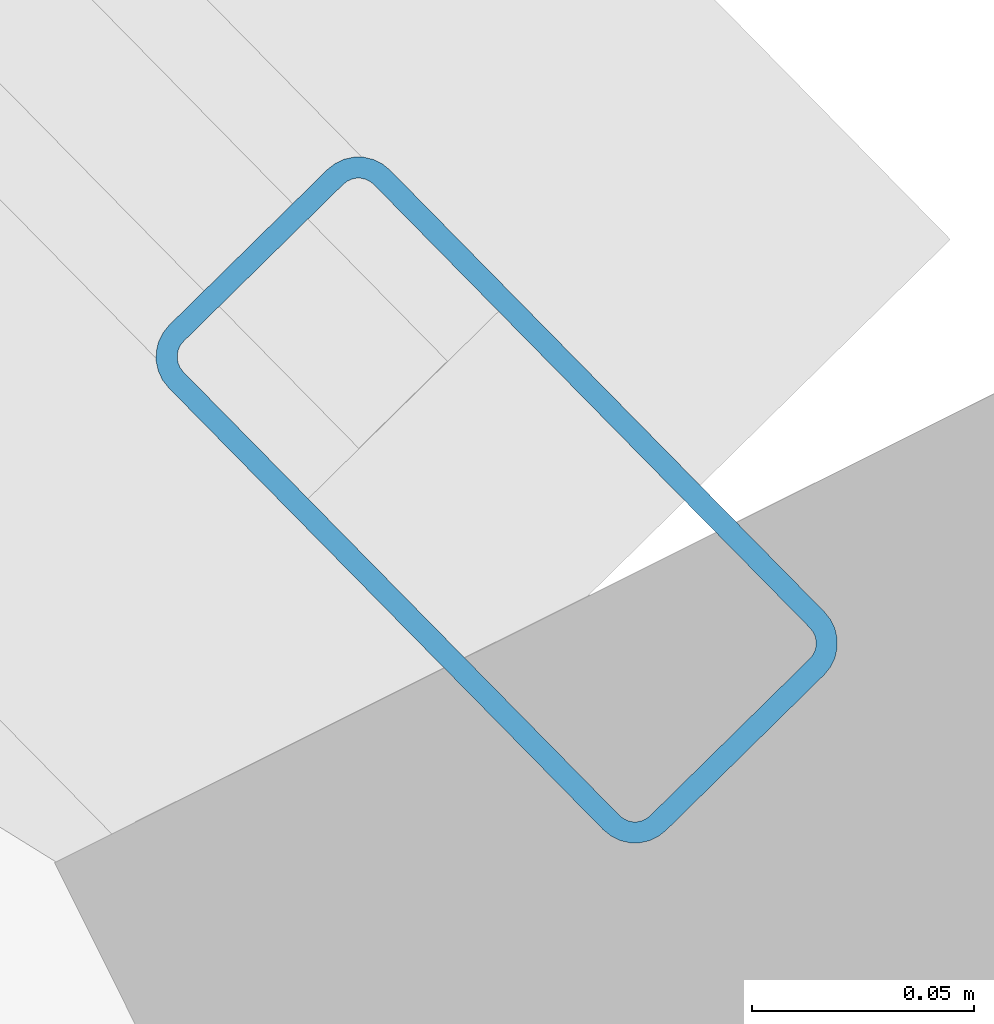
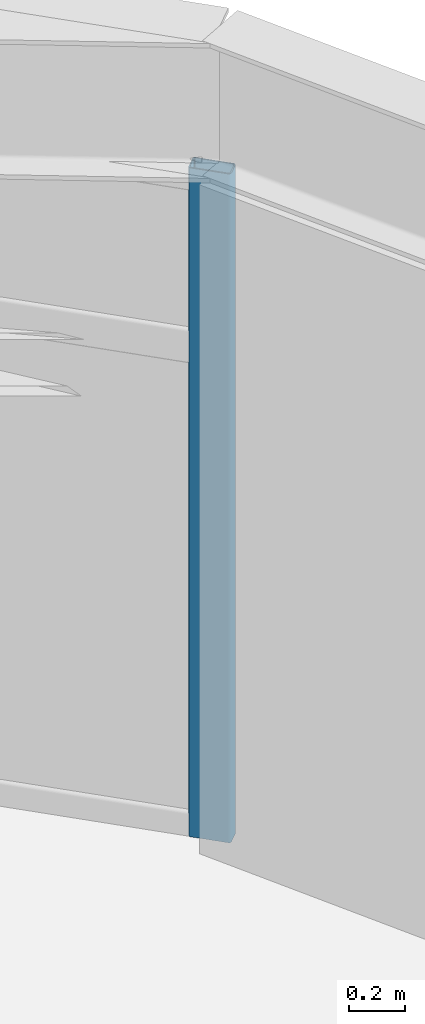
# One storey, part 11 of 22: 1 member, 1 element without a shape of its own.
"""IFC4 building model written with IfcOpenShell, lengths in metres."""

from ifc_helpers import new_model, si_unit, direction, frame, origin, origin_2d, place, context, subcontext, project, spatial, hollow_rectangle, extrude, material, layer, layer_set, material_profile, profile_set, type_object, element, aggregate, save


model = new_model("IFC4")

# Units and contexts
model_context = context("Model", 3, precision=1e-05, world=origin(), true_north=direction((0.0, 1.0)))
body_context = subcontext(model_context, "Body", "Model", "MODEL_VIEW")
ifc_project = project(units=[si_unit("LENGTHUNIT", "METRE"), si_unit("AREAUNIT", "SQUARE_METRE"), si_unit("VOLUMEUNIT", "CUBIC_METRE"), si_unit("PLANEANGLEUNIT", "RADIAN"), si_unit("MASSUNIT", "GRAM", prefix="KILO")], contexts=[model_context])

# Site, building, storey
site_placement = place(None, origin())
site = spatial("IfcSite", under=ifc_project, at=site_placement, CompositionType="ELEMENT")
building_placement = place(site_placement, origin())
building = spatial("IfcBuilding", under=site, at=building_placement, Name="Soratama Intermodal Tower", CompositionType="ELEMENT")
storey_placement = place(building_placement, frame((0.0, 0.0, 130.300048828125)))
storey = spatial("IfcBuildingStorey", under=building, at=storey_placement, Name="L31", CompositionType="ELEMENT", Elevation=130.300048828125)

# Curtain wall, member
ifc_material_1 = material(Name="Double-glazed aluminium curtain wall", Category="aluminium")
ifc_layer = layer(ifc_material_1, 0.159912109375)
ifc_layer_set = layer_set([ifc_layer], Name="Double-glazed aluminium curtain wall")
curtain_wall_type = type_object("IfcCurtainWallType", Name="CW-SYS-3", PredefinedType="NOTDEFINED", material=ifc_layer_set)
curtain_wall_placement = place(storey_placement, origin())
curtain_wall = element("IfcCurtainWall", 1, at=curtain_wall_placement, inside=storey, type_object=curtain_wall_type, Name="L31 Faceted Curtain Wall F01", PredefinedType="NOTDEFINED")
ifc_material_2 = material(Name="Anodised aluminium AA 6063-T6", Category="aluminium")
ifc_material_profile = material_profile(ifc_material_2, hollow_rectangle(XDim=0.070068359375, YDim=0.159912109375, WallThickness=0.0048828125, InnerFilletRadius=0.0048828125, OuterFilletRadius=0.010009765625, at=origin_2d()), Name="CWM160X70X5")
ifc_profile_set = profile_set([ifc_material_profile], Name="Anodised aluminium AA 6063-T6")
member_type = type_object("IfcMemberType", Name="MT-CWM-3", PredefinedType="MULLION", material=ifc_profile_set)
member_placement = place(storey_placement, frame((60.5283203125, 34.4384765625, 0.0), z_axis=(0.0, 0.0, 1.0), x_axis=(-0.713009454838, -0.701154417594, 0.0)))
member = element("IfcMember", 2, at=member_placement, type_object=member_type, Name="CW-3 mullion 1", PredefinedType="MULLION", context=body_context, shape_type="SweptSolid", body=[
    extrude(hollow_rectangle(XDim=0.070068359375, YDim=0.159912109375, WallThickness=0.0048828125, InnerFilletRadius=0.0048828125, OuterFilletRadius=0.010009765625, at=origin_2d()), origin(), (0.0, 0.0, 1.0), 2.93896484375),
])
aggregate(curtain_wall, [member])

save(model, "model.ifc")
